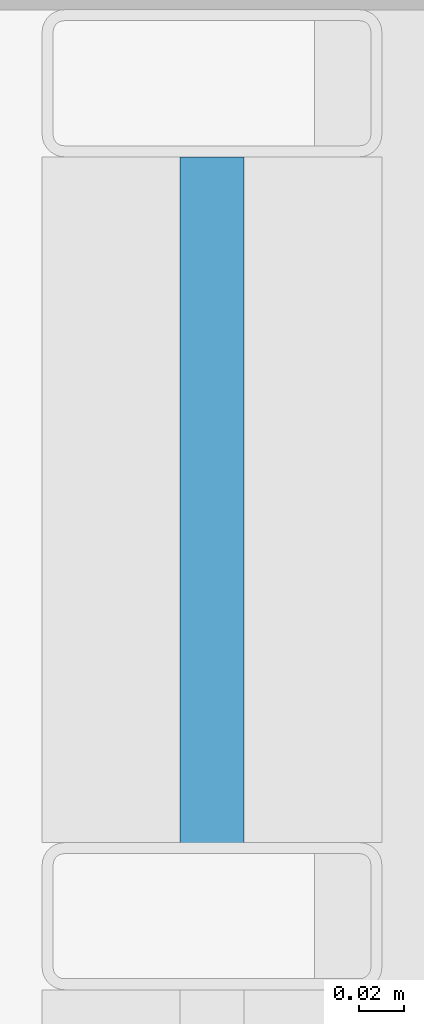
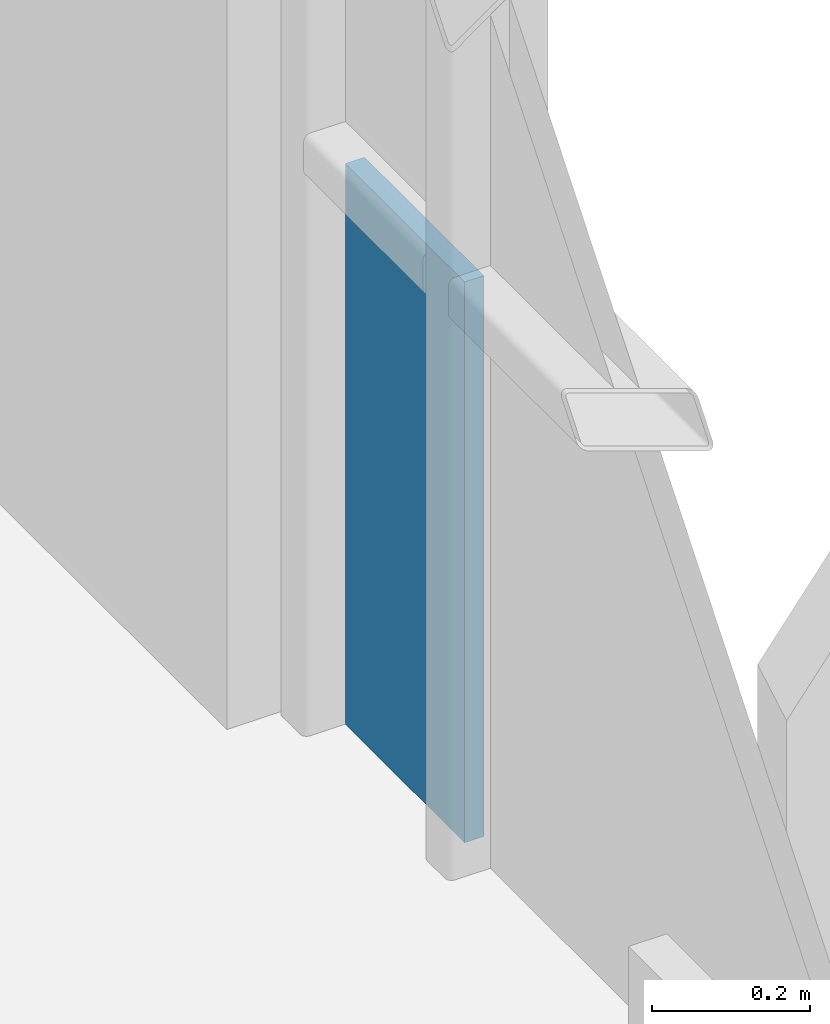
# One storey, part 26 of 39: 1 plate, 1 element without a shape of its own.
"""IFC4 building model written with IfcOpenShell, lengths in metres."""

from ifc_helpers import new_model, si_unit, direction, frame, origin, origin_2d, place, context, subcontext, project, spatial, rectangle, extrude, material, layer, layer_set, type_object, element, aggregate, save


model = new_model("IFC4")

# Units and contexts
model_context = context("Model", 3, precision=1e-05, world=origin(), true_north=direction((0.0, 1.0)))
body_context = subcontext(model_context, "Body", "Model", "MODEL_VIEW")
ifc_project = project(units=[si_unit("LENGTHUNIT", "METRE"), si_unit("AREAUNIT", "SQUARE_METRE"), si_unit("VOLUMEUNIT", "CUBIC_METRE"), si_unit("PLANEANGLEUNIT", "RADIAN"), si_unit("MASSUNIT", "GRAM", prefix="KILO")], contexts=[model_context])

# Site, building, storey
site_placement = place(None, origin())
site = spatial("IfcSite", under=ifc_project, at=site_placement, CompositionType="ELEMENT")
building_placement = place(site_placement, origin())
building = spatial("IfcBuilding", under=site, at=building_placement, Name="Brevholm Reach", CompositionType="ELEMENT")
storey_placement = place(building_placement, frame((0.0, 0.0, 109.699951171875)))
storey = spatial("IfcBuildingStorey", under=building, at=storey_placement, Name="L32", CompositionType="ELEMENT", Elevation=109.699951171875)

# Curtain wall, plate
ifc_material_1 = material(Name="Dark Anodised Aluminium 6063-T6 and Solar-Control Glass", Category="aluminium")
ifc_layer_1 = layer(ifc_material_1, 0.14990234375)
ifc_layer_set_1 = layer_set([ifc_layer_1], Name="Dark Anodised Aluminium 6063-T6 and Solar-Control Glass")
curtain_wall_type = type_object("IfcCurtainWallType", Name="CW-01", PredefinedType="NOTDEFINED", material=ifc_layer_set_1)
curtain_wall_placement = place(storey_placement, origin())
curtain_wall = element("IfcCurtainWall", 1, at=curtain_wall_placement, inside=storey, type_object=curtain_wall_type, Name="L32 Curtain Wall CW-01", PredefinedType="NOTDEFINED")
ifc_material_2 = material(Name="Dark Solar-Control Double-Glazed IGU Glass", Category="glass")
ifc_layer_2 = layer(ifc_material_2, 0.028076171875)
ifc_layer_set_2 = layer_set([ifc_layer_2], Name="Dark Solar-Control Double-Glazed IGU Glass")
plate_type = type_object("IfcPlateType", Name="CWP-GLZ-28", PredefinedType="CURTAIN_PANEL", material=ifc_layer_set_2)
plate_placement = place(storey_placement, frame((59.85009765625, 22.733642578125, 0.0), z_axis=(0.0, 0.0, 1.0), x_axis=(0.0, 1.0, 0.0)))
plate = element("IfcPlate", 2, at=plate_placement, type_object=plate_type, Name="CP-01 Glazing Panel 5.1", PredefinedType="CURTAIN_PANEL", context=body_context, shape_type="SweptSolid", body=[
    extrude(rectangle(XDim=0.302490234375, YDim=0.028076171875, at=origin_2d()), origin(), (0.0, 0.0, 1.0), 0.867431640625),
])
aggregate(curtain_wall, [plate])

save(model, "model.ifc")
